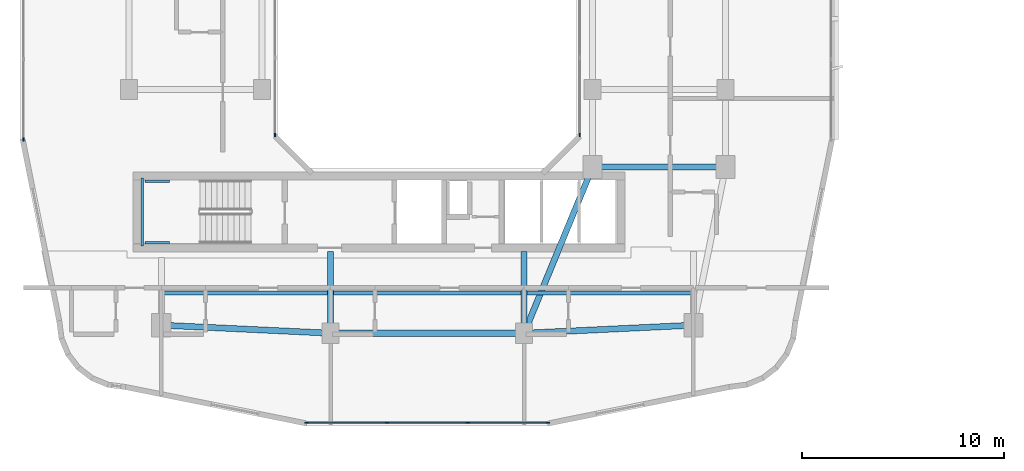
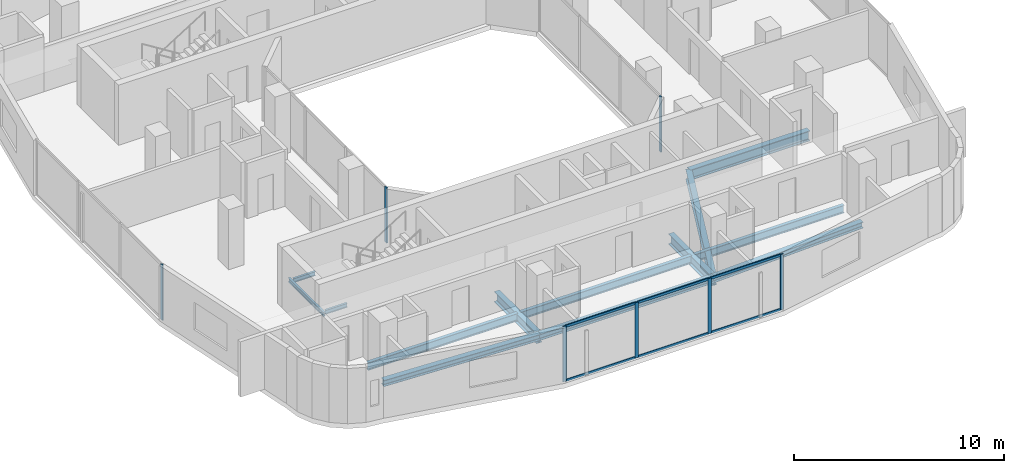
# One storey, part 2 of 26: 13 beams, 13 members, 4 elements without a shape of their own.
"""IFC4 building model written with IfcOpenShell, lengths in metres."""

from ifc_helpers import new_model, si_unit, derived_unit, direction, frame, origin, origin_2d, place, context, subcontext, project, spatial, rectangle, i_section, extrude, material, layer, layer_set, material_profile, profile_set, type_object, element, aggregate, save


model = new_model("IFC4")

# Units and contexts
model_context = context("Model", 3, precision=1e-05, world=origin(), true_north=direction((0.0, 1.0)))
body_context = subcontext(model_context, "Body", "Model", "MODEL_VIEW")
ifc_project = project(units=[si_unit("LENGTHUNIT", "METRE"), si_unit("AREAUNIT", "SQUARE_METRE"), si_unit("VOLUMEUNIT", "CUBIC_METRE"), si_unit("PLANEANGLEUNIT", "RADIAN"), si_unit("MASSUNIT", "GRAM", prefix="KILO"), derived_unit("THERMALTRANSMITTANCEUNIT", [(si_unit("POWERUNIT", "WATT"), 1), (si_unit("LENGTHUNIT", "METRE"), -2), (si_unit("THERMODYNAMICTEMPERATUREUNIT", "KELVIN"), -1)])], contexts=[model_context])

# Site, building, storey
site_placement = place(None, origin())
site = spatial("IfcSite", under=ifc_project, at=site_placement, CompositionType="ELEMENT")
building_placement = place(site_placement, origin())
building = spatial("IfcBuilding", under=site, at=building_placement, Name="Kivonza Crest Hotel", CompositionType="ELEMENT")
storey_placement = place(building_placement, frame((0.0, 0.0, 105.5)))
storey = spatial("IfcBuildingStorey", under=building, at=storey_placement, Name="L28", CompositionType="ELEMENT", Elevation=105.5)

# Beams
ifc_material_1 = material(Name="Steel S355", Category="steel")
ifc_material_profile_1 = material_profile(ifc_material_1, i_section(OverallWidth=0.300048828125, OverallDepth=0.360107421875, WebThickness=0.012451171875, FlangeThickness=0.0224609375, FilletRadius=0.027099609375, at=origin_2d()), Name="HEB 360")
ifc_profile_set_1 = profile_set([ifc_material_profile_1], Name="Steel S355")
beam_type_1 = type_object("IfcBeamType", Name="BM-HEB360", PredefinedType="SPANDREL", material=ifc_profile_set_1)
beam_1_placement = place(storey_placement, frame((16.199951171875, 9.39990234375, -0.4599609375), z_axis=(1.0, 0.0, 0.0), x_axis=(0.0, 1.0, 0.0)))
element("IfcBeam", 1, at=beam_1_placement, inside=storey, type_object=beam_type_1, Name="Tower T1 L28 perimeter spandrel S1-S2", PredefinedType="SPANDREL", context=body_context, shape_type="SweptSolid", body=[
    extrude(i_section(OverallWidth=0.300048828125, OverallDepth=0.360107421875, WebThickness=0.012451171875, FlangeThickness=0.0224609375, FilletRadius=0.027099609375, at=origin_2d()), origin(), (0.0, 0.0, 1.0), 9.60009765625),
])
for number, where, z_axis, x_axis, name in (
    (2, (25.800048828125, 9.39990234375, -0.4599609375), (0.998867283688, 0.047583080799, 0.0), (-0.047583080799, 0.998867283688, 0.0), "Tower T1 L28 perimeter spandrel S2-SE"),
    (3, (7.800048828125, 9.800048828125, -0.4599609375), (0.998867283688, -0.047583080799, 0.0), (0.047583080799, 0.998867283688, 0.0), "Tower T1 L28 perimeter spandrel SW-S1"),
):
    element("IfcBeam", number, at=place(storey_placement, frame(where, z_axis=z_axis, x_axis=x_axis)), inside=storey, type_object=beam_type_1, Name=name, PredefinedType="SPANDREL", context=body_context, shape_type="SweptSolid", body=[
        extrude(i_section(OverallWidth=0.300048828125, OverallDepth=0.360107421875, WebThickness=0.012451171875, FlangeThickness=0.0224609375, FilletRadius=0.027099609375, at=origin_2d()), origin(), (0.0, 0.0, 1.0), 8.409423828125),
    ])
ifc_material_profile_2 = material_profile(ifc_material_1, i_section(OverallWidth=0.300048828125, OverallDepth=0.60009765625, WebThickness=0.015380859375, FlangeThickness=0.030029296875, FilletRadius=0.027099609375, at=origin_2d()), Name="HEB 600")
ifc_profile_set_2 = profile_set([ifc_material_profile_2], Name="Steel S355")
beam_type_2 = type_object("IfcBeamType", Name="BM-HEB600", PredefinedType="BEAM", material=ifc_profile_set_2)
beam_2_placement = place(storey_placement, frame((25.800048828125, 9.39990234375, -0.580078125), z_axis=(0.381022260404, 0.924565864109, 0.0), x_axis=(-0.924565864109, 0.381022260404, 0.0)))
element("IfcBeam", 4, at=beam_2_placement, inside=storey, type_object=beam_type_2, Name="Tower T1 L28 primary girder S1-TSE", PredefinedType="BEAM", context=body_context, shape_type="SweptSolid", body=[
    extrude(i_section(OverallWidth=0.300048828125, OverallDepth=0.60009765625, WebThickness=0.015380859375, FlangeThickness=0.030029296875, FilletRadius=0.027099609375, at=origin_2d()), origin(), (0.0, 0.0, 1.0), 8.923095703125),
])
beam_3_placement = place(storey_placement, frame((29.199951171875, 17.64990234375, -0.580078125), z_axis=(1.0, 0.0, 0.0), x_axis=(0.0, 1.0, 0.0)))
element("IfcBeam", 5, at=beam_3_placement, inside=storey, type_object=beam_type_2, Name="Tower T1 L28 primary girder TSE-PSE", PredefinedType="BEAM", context=body_context, shape_type="SweptSolid", body=[
    extrude(i_section(OverallWidth=0.300048828125, OverallDepth=0.60009765625, WebThickness=0.015380859375, FlangeThickness=0.030029296875, FilletRadius=0.027099609375, at=origin_2d()), origin(), (0.0, 0.0, 1.0), 6.60009765625),
])
for number, where, z_axis, x_axis, name in (
    (6, (16.199951171875, 9.39990234375, -0.580078125), (0.0, 1.0, 0.0), (-1.0, 0.0, 0.0), "Tower T1 L28 radial core girder RS1"),
    (7, (25.800048828125, 9.39990234375, -0.580078125), (0.0, 1.0, 0.0), (-1.0, 0.0, 0.0), "Tower T1 L28 radial core girder RS2"),
):
    element("IfcBeam", number, at=place(storey_placement, frame(where, z_axis=z_axis, x_axis=x_axis)), inside=storey, type_object=beam_type_2, Name=name, PredefinedType="BEAM", context=body_context, shape_type="SweptSolid", body=[
        extrude(i_section(OverallWidth=0.300048828125, OverallDepth=0.60009765625, WebThickness=0.015380859375, FlangeThickness=0.030029296875, FilletRadius=0.027099609375, at=origin_2d()), origin(), (0.0, 0.0, 1.0), 4.050048828125),
    ])
ifc_material_profile_3 = material_profile(ifc_material_1, i_section(OverallWidth=0.18994140625, OverallDepth=0.449951171875, WebThickness=0.009521484375, FlangeThickness=0.0146484375, FilletRadius=0.02099609375, at=origin_2d()), Name="IPE 450")
ifc_profile_set_3 = profile_set([ifc_material_profile_3], Name="Steel S355")
beam_type_3 = type_object("IfcBeamType", Name="BM-IPE450", PredefinedType="JOIST", material=ifc_profile_set_3)
beam_4_placement = place(storey_placement, frame((7.8798828125, 11.39990234375, -0.5048828125), z_axis=(1.0, 0.0, 0.0), x_axis=(0.0, 1.0, 0.0)))
element("IfcBeam", 8, at=beam_4_placement, inside=storey, type_object=beam_type_3, Name="Tower T1 L28 South-West floor joist", PredefinedType="JOIST", context=body_context, shape_type="SweptSolid", body=[
    extrude(i_section(OverallWidth=0.18994140625, OverallDepth=0.449951171875, WebThickness=0.009521484375, FlangeThickness=0.0146484375, FilletRadius=0.02099609375, at=origin_2d()), origin(), (0.0, 0.0, 1.0), 8.240234375),
])
beam_5_placement = place(storey_placement, frame((16.280029296875, 11.39990234375, -0.5048828125), z_axis=(1.0, 0.0, 0.0), x_axis=(0.0, 1.0, 0.0)))
element("IfcBeam", 9, at=beam_5_placement, inside=storey, type_object=beam_type_3, Name="Tower T1 L28 South-Mid floor joist", PredefinedType="JOIST", context=body_context, shape_type="SweptSolid", body=[
    extrude(i_section(OverallWidth=0.18994140625, OverallDepth=0.449951171875, WebThickness=0.009521484375, FlangeThickness=0.0146484375, FilletRadius=0.02099609375, at=origin_2d()), origin(), (0.0, 0.0, 1.0), 9.43994140625),
])
beam_6_placement = place(storey_placement, frame((25.8798828125, 11.39990234375, -0.5048828125), z_axis=(1.0, 0.0, 0.0), x_axis=(0.0, 1.0, 0.0)))
element("IfcBeam", 10, at=beam_6_placement, inside=storey, type_object=beam_type_3, Name="Tower T1 L28 South-East floor joist", PredefinedType="JOIST", context=body_context, shape_type="SweptSolid", body=[
    extrude(i_section(OverallWidth=0.18994140625, OverallDepth=0.449951171875, WebThickness=0.009521484375, FlangeThickness=0.0146484375, FilletRadius=0.02099609375, at=origin_2d()), origin(), (0.0, 0.0, 1.0), 8.240234375),
])
ifc_material_profile_4 = material_profile(ifc_material_1, i_section(OverallWidth=0.1201171875, OverallDepth=0.239990234375, WebThickness=0.006103515625, FlangeThickness=0.009765625, FilletRadius=0.014892578125, at=origin_2d()), Name="IPE 240")
ifc_profile_set_4 = profile_set([ifc_material_profile_4], Name="Steel S355")
beam_type_4 = type_object("IfcBeamType", Name="BM-LLDG-240", PredefinedType="BEAM", material=ifc_profile_set_4)
beam_7_placement = place(storey_placement, frame((6.860107421875, 13.739990234375, 1.429931640625), z_axis=(0.0, 1.0, 0.0), x_axis=(-1.0, 0.0, 0.0)))
element("IfcBeam", 11, at=beam_7_placement, inside=storey, type_object=beam_type_4, Name="Stair ST-T1-S L28 West landing corbel", PredefinedType="BEAM", context=body_context, shape_type="SweptSolid", body=[
    extrude(i_section(OverallWidth=0.1201171875, OverallDepth=0.239990234375, WebThickness=0.006103515625, FlangeThickness=0.009765625, FilletRadius=0.014892578125, at=origin_2d()), origin(), (0.0, 0.0, 1.0), 3.360107421875),
])
for number, where, z_axis, x_axis, name in (
    (12, (6.989990234375, 13.89990234375, 1.429931640625), (1.0, 0.0, 0.0), (0.0, 1.0, 0.0), "Stair ST-T1-S L28 South landing corbel"),
    (13, (6.989990234375, 16.93994140625, 1.429931640625), (1.0, 0.0, 0.0), (0.0, 1.0, 0.0), "Stair ST-T1-S L28 North landing corbel"),
):
    element("IfcBeam", number, at=place(storey_placement, frame(where, z_axis=z_axis, x_axis=x_axis)), inside=storey, type_object=beam_type_4, Name=name, PredefinedType="BEAM", context=body_context, shape_type="SweptSolid", body=[
        extrude(i_section(OverallWidth=0.1201171875, OverallDepth=0.239990234375, WebThickness=0.006103515625, FlangeThickness=0.009765625, FilletRadius=0.014892578125, at=origin_2d()), origin(), (0.0, 0.0, 1.0), 1.2099609375),
    ])

# Curtain wall, members
ifc_material_2 = material(Name="Anodised bronze aluminium and low-E double glazing", Category="aluminium")
ifc_layer_1 = layer(ifc_material_2, 0.179931640625)
ifc_layer_set_1 = layer_set([ifc_layer_1], Name="Anodised bronze aluminium and low-E double glazing")
curtain_wall_type_1 = type_object("IfcCurtainWallType", Name="CW-SYS-2", PredefinedType="NOTDEFINED", material=ifc_layer_set_1)
curtain_wall_1_placement = place(storey_placement, origin())
curtain_wall_1 = element("IfcCurtainWall", 14, at=curtain_wall_1_placement, inside=storey, type_object=curtain_wall_type_1, Name="L28 unitised curtain wall CW-T1-L28-08", PredefinedType="NOTDEFINED")
ifc_material_3 = material(Name="Anodised bronze aluminium", Category="aluminium")
ifc_material_profile_5 = material_profile(ifc_material_3, rectangle(XDim=0.06494140625, YDim=0.179931640625, at=origin_2d()), Name="CW-M 65x180")
ifc_profile_set_5 = profile_set([ifc_material_profile_5], Name="Anodised bronze aluminium")
member_type_1 = type_object("IfcMemberType", Name="CW-MUL-65x180", PredefinedType="MULLION", material=ifc_profile_set_5)
member_1_placement = place(storey_placement, frame((15.012451171875, 4.9599609375, 0.0), z_axis=(0.0, 0.0, 1.0), x_axis=(0.0, 1.0, 0.0)))
member_1 = element("IfcMember", 15, at=member_1_placement, type_object=member_type_1, Name="CW-2 mullion 1", PredefinedType="MULLION", context=body_context, shape_type="SweptSolid", body=[
    extrude(rectangle(XDim=0.06494140625, YDim=0.179931640625, at=origin_2d()), origin(), (0.0, 0.0, 1.0), 3.219970703125),
])
member_2_placement = place(storey_placement, frame((18.993408203125, 4.9599609375, 0.0), z_axis=(0.0, 0.0, 1.0), x_axis=(0.0, 1.0, 0.0)))
member_2 = element("IfcMember", 16, at=member_2_placement, type_object=member_type_1, Name="CW-2 mullion 2", PredefinedType="MULLION", context=body_context, shape_type="SweptSolid", body=[
    extrude(rectangle(XDim=0.06494140625, YDim=0.179931640625, at=origin_2d()), origin(), (0.0, 0.0, 1.0), 3.219970703125),
])
member_3_placement = place(storey_placement, frame((23.006591796875, 4.9599609375, 0.0), z_axis=(0.0, 0.0, 1.0), x_axis=(0.0, 1.0, 0.0)))
member_3 = element("IfcMember", 17, at=member_3_placement, type_object=member_type_1, Name="CW-2 mullion 3", PredefinedType="MULLION", context=body_context, shape_type="SweptSolid", body=[
    extrude(rectangle(XDim=0.06494140625, YDim=0.179931640625, at=origin_2d()), origin(), (0.0, 0.0, 1.0), 3.219970703125),
])
member_4_placement = place(storey_placement, frame((26.987548828125, 4.9599609375, 0.0), z_axis=(0.0, 0.0, 1.0), x_axis=(0.0, 1.0, 0.0)))
member_4 = element("IfcMember", 18, at=member_4_placement, type_object=member_type_1, Name="CW-2 mullion 4", PredefinedType="MULLION", context=body_context, shape_type="SweptSolid", body=[
    extrude(rectangle(XDim=0.06494140625, YDim=0.179931640625, at=origin_2d()), origin(), (0.0, 0.0, 1.0), 3.219970703125),
])

# Curtain wall, member
curtain_wall_2_placement = place(storey_placement, origin())
curtain_wall_2 = element("IfcCurtainWall", 19, at=curtain_wall_2_placement, inside=storey, type_object=curtain_wall_type_1, Name="L28 unitised curtain wall CW-T1-L28-35", PredefinedType="NOTDEFINED")
member_5_placement = place(storey_placement, frame((0.9599609375, 19.012451171875, 0.0), z_axis=(0.0, 0.0, 1.0), x_axis=(1.0, 0.0, 0.0)))
member_5 = element("IfcMember", 20, at=member_5_placement, type_object=member_type_1, Name="CW-2 mullion 4", PredefinedType="MULLION", context=body_context, shape_type="SweptSolid", body=[
    extrude(rectangle(XDim=0.06494140625, YDim=0.179931640625, at=origin_2d()), origin(), (0.0, 0.0, 1.0), 3.219970703125),
])
aggregate(curtain_wall_2, [member_5])

ifc_layer_2 = layer(ifc_material_2, 0.159912109375)
ifc_layer_set_2 = layer_set([ifc_layer_2], Name="Anodised bronze aluminium and low-E double glazing")
curtain_wall_type_2 = type_object("IfcCurtainWallType", Name="CW-SYS-5", PredefinedType="NOTDEFINED", material=ifc_layer_set_2)
curtain_wall_3_placement = place(storey_placement, origin())
curtain_wall_3 = element("IfcCurtainWall", 21, at=curtain_wall_3_placement, inside=storey, type_object=curtain_wall_type_2, Name="L28 unitised curtain wall CW-WELL-T1-L28-3", PredefinedType="NOTDEFINED")
member_6_placement = place(storey_placement, frame((28.56005859375, 19.232421875, 0.0), z_axis=(0.0, 0.0, 1.0), x_axis=(-1.0, 0.0, 0.0)))
member_6 = element("IfcMember", 22, at=member_6_placement, type_object=member_type_1, Name="CW-5 mullion 1", PredefinedType="MULLION", context=body_context, shape_type="SweptSolid", body=[
    extrude(rectangle(XDim=0.06494140625, YDim=0.179931640625, at=origin_2d()), origin(), (0.0, 0.0, 1.0), 3.219970703125),
])
aggregate(curtain_wall_3, [member_6])

curtain_wall_4_placement = place(storey_placement, origin())
curtain_wall_4 = element("IfcCurtainWall", 23, at=curtain_wall_4_placement, inside=storey, type_object=curtain_wall_type_2, Name="L28 unitised curtain wall CW-WELL-T1-L28-7", PredefinedType="NOTDEFINED")
member_7_placement = place(storey_placement, frame((13.43994140625, 19.232421875, 0.0), z_axis=(0.0, 0.0, 1.0), x_axis=(1.0, 0.0, 0.0)))
member_7 = element("IfcMember", 24, at=member_7_placement, type_object=member_type_1, Name="CW-5 mullion 4", PredefinedType="MULLION", context=body_context, shape_type="SweptSolid", body=[
    extrude(rectangle(XDim=0.06494140625, YDim=0.179931640625, at=origin_2d()), origin(), (0.0, 0.0, 1.0), 3.219970703125),
])
aggregate(curtain_wall_4, [member_7])

# Member
ifc_material_profile_6 = material_profile(ifc_material_3, rectangle(XDim=0.06494140625, YDim=0.139892578125, at=origin_2d()), Name="CW-T 65x140")
ifc_profile_set_6 = profile_set([ifc_material_profile_6], Name="Anodised bronze aluminium")
member_type_2 = type_object("IfcMemberType", Name="CW-TRN-65x140", PredefinedType="USERDEFINED", material=ifc_profile_set_6)
member_8_placement = place(storey_placement, frame((15.044921875, 4.9599609375, 0.032470703125), z_axis=(1.0, 0.0, 0.0), x_axis=(0.0, 1.0, 0.0)))
member_8 = element("IfcMember", 25, at=member_8_placement, type_object=member_type_2, Name="CW-2 transom 1.1", ObjectType="TRANSOM", PredefinedType="USERDEFINED", context=body_context, shape_type="SweptSolid", body=[
    extrude(rectangle(XDim=0.06494140625, YDim=0.139892578125, at=origin_2d()), origin(), (0.0, 0.0, 1.0), 3.916015625),
])

member_9_placement = place(storey_placement, frame((15.044921875, 4.9599609375, 3.1875), z_axis=(1.0, 0.0, 0.0), x_axis=(0.0, 1.0, 0.0)))
member_9 = element("IfcMember", 26, at=member_9_placement, type_object=member_type_2, Name="CW-2 transom 1.2", ObjectType="TRANSOM", PredefinedType="USERDEFINED", context=body_context, shape_type="SweptSolid", body=[
    extrude(rectangle(XDim=0.06494140625, YDim=0.139892578125, at=origin_2d()), origin(), (0.0, 0.0, 1.0), 3.916015625),
])

member_10_placement = place(storey_placement, frame((19.02587890625, 4.9599609375, 0.032470703125), z_axis=(1.0, 0.0, 0.0), x_axis=(0.0, 1.0, 0.0)))
member_10 = element("IfcMember", 27, at=member_10_placement, type_object=member_type_2, Name="CW-2 transom 2.1", ObjectType="TRANSOM", PredefinedType="USERDEFINED", context=body_context, shape_type="SweptSolid", body=[
    extrude(rectangle(XDim=0.06494140625, YDim=0.139892578125, at=origin_2d()), origin(), (0.0, 0.0, 1.0), 3.9482421875),
])

member_11_placement = place(storey_placement, frame((19.02587890625, 4.9599609375, 3.1875), z_axis=(1.0, 0.0, 0.0), x_axis=(0.0, 1.0, 0.0)))
member_11 = element("IfcMember", 28, at=member_11_placement, type_object=member_type_2, Name="CW-2 transom 2.2", ObjectType="TRANSOM", PredefinedType="USERDEFINED", context=body_context, shape_type="SweptSolid", body=[
    extrude(rectangle(XDim=0.06494140625, YDim=0.139892578125, at=origin_2d()), origin(), (0.0, 0.0, 1.0), 3.9482421875),
])

member_12_placement = place(storey_placement, frame((23.0390625, 4.9599609375, 0.032470703125), z_axis=(1.0, 0.0, 0.0), x_axis=(0.0, 1.0, 0.0)))
member_12 = element("IfcMember", 29, at=member_12_placement, type_object=member_type_2, Name="CW-2 transom 3.1", ObjectType="TRANSOM", PredefinedType="USERDEFINED", context=body_context, shape_type="SweptSolid", body=[
    extrude(rectangle(XDim=0.06494140625, YDim=0.139892578125, at=origin_2d()), origin(), (0.0, 0.0, 1.0), 3.916015625),
])

member_13_placement = place(storey_placement, frame((23.0390625, 4.9599609375, 3.1875), z_axis=(1.0, 0.0, 0.0), x_axis=(0.0, 1.0, 0.0)))
member_13 = element("IfcMember", 30, at=member_13_placement, type_object=member_type_2, Name="CW-2 transom 3.2", ObjectType="TRANSOM", PredefinedType="USERDEFINED", context=body_context, shape_type="SweptSolid", body=[
    extrude(rectangle(XDim=0.06494140625, YDim=0.139892578125, at=origin_2d()), origin(), (0.0, 0.0, 1.0), 3.916015625),
])

aggregate(curtain_wall_1, [member_1, member_2, member_3, member_4, member_8, member_9, member_10, member_11, member_12, member_13])

save(model, "model.ifc")
